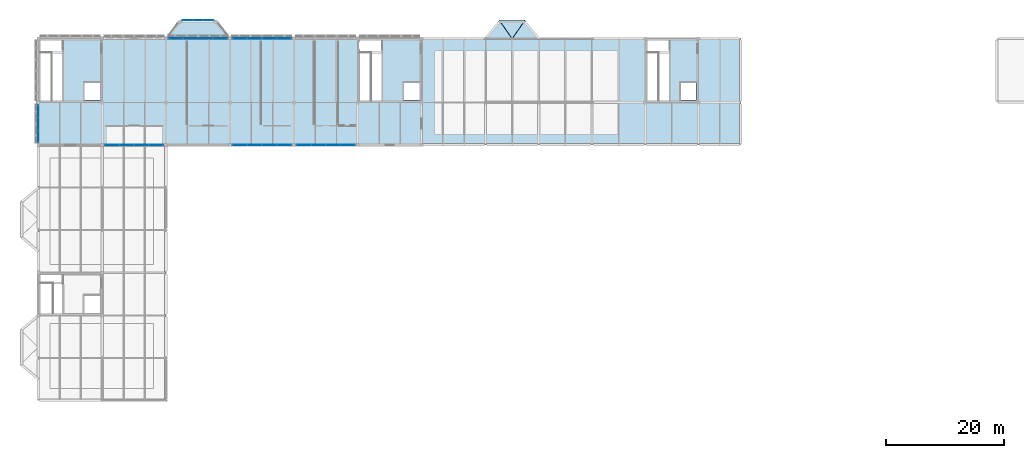
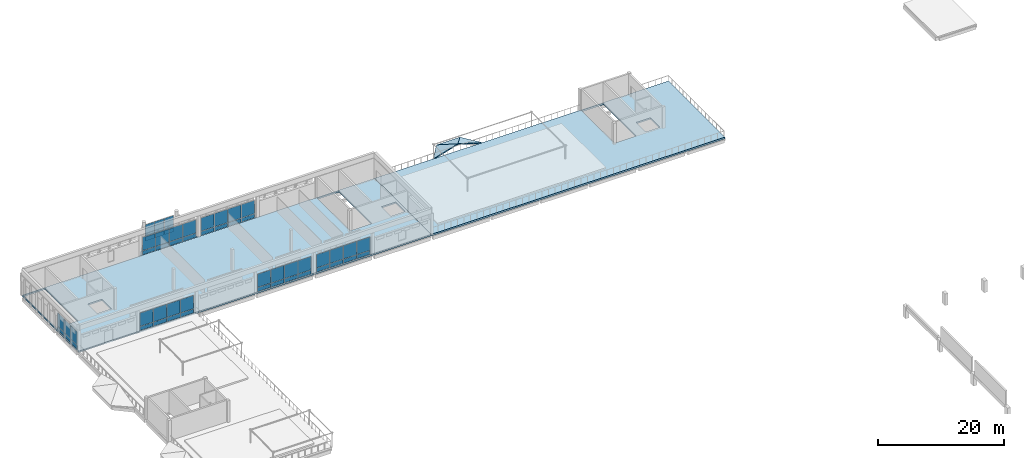
# One storey, part 19 of 33: 52 plates, 6 slabs, 7 elements without a shape of their own.
"""IFC4 building model written with IfcOpenShell, lengths in metres."""

from ifc_helpers import new_model, si_unit, direction, frame, origin, origin_2d, place, context, subcontext, project, spatial, polyline, rectangle, outline, extrude, material, layer, layer_set, type_object, element, aggregate, save


model = new_model("IFC4")

# Units and contexts
model_context = context("Model", 3, precision=1e-05, world=origin(), true_north=direction((0.0, 1.0)))
body_context = subcontext(model_context, "Body", "Model", "MODEL_VIEW")
ifc_project = project(units=[si_unit("LENGTHUNIT", "METRE"), si_unit("AREAUNIT", "SQUARE_METRE"), si_unit("VOLUMEUNIT", "CUBIC_METRE"), si_unit("PLANEANGLEUNIT", "RADIAN"), si_unit("MASSUNIT", "GRAM", prefix="KILO")], contexts=[model_context])

# Site, building, storey
site_placement = place(None, origin())
site = spatial("IfcSite", under=ifc_project, at=site_placement, CompositionType="ELEMENT")
building_placement = place(site_placement, origin())
building = spatial("IfcBuilding", under=site, at=building_placement, Name="Lusvemor Sports Hall", CompositionType="ELEMENT")
storey_placement = place(building_placement, frame((0.0, 0.0, 19.199951171875)))
storey = spatial("IfcBuildingStorey", under=building, at=storey_placement, Name="L04", CompositionType="ELEMENT", Elevation=19.199951171875)

# Curtain wall, plates
ifc_material_1 = material(Name="Thermally broken bronze-anodized aluminium", Category="aluminium")
curtain_wall_type_1 = type_object("IfcCurtainWallType", Name="CW_WING_B", PredefinedType="NOTDEFINED", material=ifc_material_1)
curtain_wall_1_placement = place(storey_placement, origin())
curtain_wall_1 = element("IfcCurtainWall", 1, at=curtain_wall_1_placement, inside=storey, type_object=curtain_wall_type_1, Name="Curtain Wall CW-L04-W-0-0", PredefinedType="NOTDEFINED")
ifc_material_2 = material(Name="Solar-control laminated double glazing", Category="glass")
ifc_layer_1 = layer(ifc_material_2, 0.028076171875)
ifc_layer_set_1 = layer_set([ifc_layer_1], Name="Solar-control laminated double glazing")
plate_type_1 = type_object("IfcPlateType", Name="CW_PAN_GLZ_28", PredefinedType="CURTAIN_PANEL", material=ifc_layer_set_1)
plate_1_placement = place(storey_placement, frame((0.0, 98.6962890625, 0.880126953125), z_axis=(0.0, 0.0, 1.0), x_axis=(0.0, 1.0, 0.0)))
plate_1 = element("IfcPlate", 2, at=plate_1_placement, type_object=plate_type_1, Name="CW02 panel 1.2", PredefinedType="CURTAIN_PANEL", context=body_context, shape_type="SweptSolid", body=[
    extrude(rectangle(XDim=2.0224609375, YDim=0.028076171875, at=origin_2d()), origin(), (0.0, 0.0, 1.0), 2.580078125),
])
plate_2_placement = place(storey_placement, frame((0.0, 100.800048828125, 0.880126953125), z_axis=(0.0, 0.0, 1.0), x_axis=(0.0, 1.0, 0.0)))
plate_2 = element("IfcPlate", 3, at=plate_2_placement, type_object=plate_type_1, Name="CW02 panel 2.2", PredefinedType="CURTAIN_PANEL", context=body_context, shape_type="SweptSolid", body=[
    extrude(rectangle(XDim=2.054931640625, YDim=0.028076171875, at=origin_2d()), origin(), (0.0, 0.0, 1.0), 2.580078125),
])
plate_3_placement = place(storey_placement, frame((0.0, 102.90380859375, 0.880126953125), z_axis=(0.0, 0.0, 1.0), x_axis=(0.0, 1.0, 0.0)))
plate_3 = element("IfcPlate", 4, at=plate_3_placement, type_object=plate_type_1, Name="CW02 panel 3.2", PredefinedType="CURTAIN_PANEL", context=body_context, shape_type="SweptSolid", body=[
    extrude(rectangle(XDim=2.0224609375, YDim=0.028076171875, at=origin_2d()), origin(), (0.0, 0.0, 1.0), 2.580078125),
])

curtain_wall_2_placement = place(storey_placement, origin())
curtain_wall_2 = element("IfcCurtainWall", 5, at=curtain_wall_2_placement, inside=storey, type_object=curtain_wall_type_1, Name="Curtain Wall CW-L04-N-1-2", PredefinedType="NOTDEFINED")
plate_4_placement = place(storey_placement, frame((23.28125, 115.199951171875, 0.880126953125), z_axis=(0.0, 0.0, 1.0), x_axis=(1.0, 0.0, 0.0)))
plate_4 = element("IfcPlate", 6, at=plate_4_placement, type_object=plate_type_1, Name="CW02 panel 1.2", PredefinedType="CURTAIN_PANEL", context=body_context, shape_type="SweptSolid", body=[
    extrude(rectangle(XDim=2.392578125, YDim=0.028076171875, at=origin_2d()), origin(), (0.0, 0.0, 1.0), 2.580078125),
])
plate_5_placement = place(storey_placement, frame((25.7548828125, 115.199951171875, 0.880126953125), z_axis=(0.0, 0.0, 1.0), x_axis=(1.0, 0.0, 0.0)))
plate_5 = element("IfcPlate", 7, at=plate_5_placement, type_object=plate_type_1, Name="CW02 panel 2.2", PredefinedType="CURTAIN_PANEL", context=body_context, shape_type="SweptSolid", body=[
    extrude(rectangle(XDim=2.425048828125, YDim=0.028076171875, at=origin_2d()), origin(), (0.0, 0.0, 1.0), 2.580078125),
])
plate_6_placement = place(storey_placement, frame((28.2451171875, 115.199951171875, 0.880126953125), z_axis=(0.0, 0.0, 1.0), x_axis=(1.0, 0.0, 0.0)))
plate_6 = element("IfcPlate", 8, at=plate_6_placement, type_object=plate_type_1, Name="CW02 panel 3.2", PredefinedType="CURTAIN_PANEL", context=body_context, shape_type="SweptSolid", body=[
    extrude(rectangle(XDim=2.425048828125, YDim=0.028076171875, at=origin_2d()), origin(), (0.0, 0.0, 1.0), 2.580078125),
])
plate_7_placement = place(storey_placement, frame((30.71875, 115.199951171875, 0.880126953125), z_axis=(0.0, 0.0, 1.0), x_axis=(1.0, 0.0, 0.0)))
plate_7 = element("IfcPlate", 9, at=plate_7_placement, type_object=plate_type_1, Name="CW02 panel 4.2", PredefinedType="CURTAIN_PANEL", context=body_context, shape_type="SweptSolid", body=[
    extrude(rectangle(XDim=2.392578125, YDim=0.028076171875, at=origin_2d()), origin(), (0.0, 0.0, 1.0), 2.580078125),
])

curtain_wall_3_placement = place(storey_placement, origin())
curtain_wall_3 = element("IfcCurtainWall", 10, at=curtain_wall_3_placement, inside=storey, type_object=curtain_wall_type_1, Name="Curtain Wall CW-L04-N-1-3", PredefinedType="NOTDEFINED")
plate_8_placement = place(storey_placement, frame((34.081298828125, 115.199951171875, 0.880126953125), z_axis=(0.0, 0.0, 1.0), x_axis=(1.0, 0.0, 0.0)))
plate_8 = element("IfcPlate", 11, at=plate_8_placement, type_object=plate_type_1, Name="CW02 panel 1.2", PredefinedType="CURTAIN_PANEL", context=body_context, shape_type="SweptSolid", body=[
    extrude(rectangle(XDim=2.392578125, YDim=0.028076171875, at=origin_2d()), origin(), (0.0, 0.0, 1.0), 2.580078125),
])
plate_9_placement = place(storey_placement, frame((36.554931640625, 115.199951171875, 0.880126953125), z_axis=(0.0, 0.0, 1.0), x_axis=(1.0, 0.0, 0.0)))
plate_9 = element("IfcPlate", 12, at=plate_9_placement, type_object=plate_type_1, Name="CW02 panel 2.2", PredefinedType="CURTAIN_PANEL", context=body_context, shape_type="SweptSolid", body=[
    extrude(rectangle(XDim=2.425048828125, YDim=0.028076171875, at=origin_2d()), origin(), (0.0, 0.0, 1.0), 2.580078125),
])
plate_10_placement = place(storey_placement, frame((39.044921875, 115.199951171875, 0.880126953125), z_axis=(0.0, 0.0, 1.0), x_axis=(1.0, 0.0, 0.0)))
plate_10 = element("IfcPlate", 13, at=plate_10_placement, type_object=plate_type_1, Name="CW02 panel 3.2", PredefinedType="CURTAIN_PANEL", context=body_context, shape_type="SweptSolid", body=[
    extrude(rectangle(XDim=2.425048828125, YDim=0.028076171875, at=origin_2d()), origin(), (0.0, 0.0, 1.0), 2.580078125),
])
plate_11_placement = place(storey_placement, frame((41.518798828125, 115.199951171875, 0.880126953125), z_axis=(0.0, 0.0, 1.0), x_axis=(1.0, 0.0, 0.0)))
plate_11 = element("IfcPlate", 14, at=plate_11_placement, type_object=plate_type_1, Name="CW02 panel 4.2", PredefinedType="CURTAIN_PANEL", context=body_context, shape_type="SweptSolid", body=[
    extrude(rectangle(XDim=2.392578125, YDim=0.028076171875, at=origin_2d()), origin(), (0.0, 0.0, 1.0), 2.580078125),
])

curtain_wall_4_placement = place(storey_placement, origin())
curtain_wall_4 = element("IfcCurtainWall", 15, at=curtain_wall_4_placement, inside=storey, type_object=curtain_wall_type_1, Name="Curtain Wall CW-L04-S-3-1", PredefinedType="NOTDEFINED")
plate_12_placement = place(storey_placement, frame((19.918701171875, 97.199951171875, 0.880126953125), z_axis=(0.0, 0.0, 1.0), x_axis=(-1.0, 0.0, 0.0)))
plate_12 = element("IfcPlate", 16, at=plate_12_placement, type_object=plate_type_1, Name="CW02 panel 1.2", PredefinedType="CURTAIN_PANEL", context=body_context, shape_type="SweptSolid", body=[
    extrude(rectangle(XDim=2.392578125, YDim=0.028076171875, at=origin_2d()), origin(), (0.0, 0.0, 1.0), 2.580078125),
])
plate_13_placement = place(storey_placement, frame((17.445068359375, 97.199951171875, 0.880126953125), z_axis=(0.0, 0.0, 1.0), x_axis=(-1.0, 0.0, 0.0)))
plate_13 = element("IfcPlate", 17, at=plate_13_placement, type_object=plate_type_1, Name="CW02 panel 2.2", PredefinedType="CURTAIN_PANEL", context=body_context, shape_type="SweptSolid", body=[
    extrude(rectangle(XDim=2.425048828125, YDim=0.028076171875, at=origin_2d()), origin(), (0.0, 0.0, 1.0), 2.580078125),
])
plate_14_placement = place(storey_placement, frame((14.955078125, 97.199951171875, 0.880126953125), z_axis=(0.0, 0.0, 1.0), x_axis=(-1.0, 0.0, 0.0)))
plate_14 = element("IfcPlate", 18, at=plate_14_placement, type_object=plate_type_1, Name="CW02 panel 3.2", PredefinedType="CURTAIN_PANEL", context=body_context, shape_type="SweptSolid", body=[
    extrude(rectangle(XDim=2.425048828125, YDim=0.028076171875, at=origin_2d()), origin(), (0.0, 0.0, 1.0), 2.580078125),
])
plate_15_placement = place(storey_placement, frame((12.481201171875, 97.199951171875, 0.880126953125), z_axis=(0.0, 0.0, 1.0), x_axis=(-1.0, 0.0, 0.0)))
plate_15 = element("IfcPlate", 19, at=plate_15_placement, type_object=plate_type_1, Name="CW02 panel 4.2", PredefinedType="CURTAIN_PANEL", context=body_context, shape_type="SweptSolid", body=[
    extrude(rectangle(XDim=2.392578125, YDim=0.028076171875, at=origin_2d()), origin(), (0.0, 0.0, 1.0), 2.580078125),
])

curtain_wall_5_placement = place(storey_placement, origin())
curtain_wall_5 = element("IfcCurtainWall", 20, at=curtain_wall_5_placement, inside=storey, type_object=curtain_wall_type_1, Name="Curtain Wall CW-L04-S-3-3", PredefinedType="NOTDEFINED")
plate_16_placement = place(storey_placement, frame((41.518798828125, 97.199951171875, 0.880126953125), z_axis=(0.0, 0.0, 1.0), x_axis=(-1.0, 0.0, 0.0)))
plate_16 = element("IfcPlate", 21, at=plate_16_placement, type_object=plate_type_1, Name="CW02 panel 1.2", PredefinedType="CURTAIN_PANEL", context=body_context, shape_type="SweptSolid", body=[
    extrude(rectangle(XDim=2.392578125, YDim=0.028076171875, at=origin_2d()), origin(), (0.0, 0.0, 1.0), 2.580078125),
])
plate_17_placement = place(storey_placement, frame((39.044921875, 97.199951171875, 0.880126953125), z_axis=(0.0, 0.0, 1.0), x_axis=(-1.0, 0.0, 0.0)))
plate_17 = element("IfcPlate", 22, at=plate_17_placement, type_object=plate_type_1, Name="CW02 panel 2.2", PredefinedType="CURTAIN_PANEL", context=body_context, shape_type="SweptSolid", body=[
    extrude(rectangle(XDim=2.425048828125, YDim=0.028076171875, at=origin_2d()), origin(), (0.0, 0.0, 1.0), 2.580078125),
])
plate_18_placement = place(storey_placement, frame((36.554931640625, 97.199951171875, 0.880126953125), z_axis=(0.0, 0.0, 1.0), x_axis=(-1.0, 0.0, 0.0)))
plate_18 = element("IfcPlate", 23, at=plate_18_placement, type_object=plate_type_1, Name="CW02 panel 3.2", PredefinedType="CURTAIN_PANEL", context=body_context, shape_type="SweptSolid", body=[
    extrude(rectangle(XDim=2.425048828125, YDim=0.028076171875, at=origin_2d()), origin(), (0.0, 0.0, 1.0), 2.580078125),
])
plate_19_placement = place(storey_placement, frame((34.081298828125, 97.199951171875, 0.880126953125), z_axis=(0.0, 0.0, 1.0), x_axis=(-1.0, 0.0, 0.0)))
plate_19 = element("IfcPlate", 24, at=plate_19_placement, type_object=plate_type_1, Name="CW02 panel 4.2", PredefinedType="CURTAIN_PANEL", context=body_context, shape_type="SweptSolid", body=[
    extrude(rectangle(XDim=2.392578125, YDim=0.028076171875, at=origin_2d()), origin(), (0.0, 0.0, 1.0), 2.580078125),
])

curtain_wall_6_placement = place(storey_placement, origin())
curtain_wall_6 = element("IfcCurtainWall", 25, at=curtain_wall_6_placement, inside=storey, type_object=curtain_wall_type_1, Name="Curtain Wall CW-L04-S-3-4", PredefinedType="NOTDEFINED")
plate_20_placement = place(storey_placement, frame((52.31884765625, 97.199951171875, 0.880126953125), z_axis=(0.0, 0.0, 1.0), x_axis=(-1.0, 0.0, 0.0)))
plate_20 = element("IfcPlate", 26, at=plate_20_placement, type_object=plate_type_1, Name="CW02 panel 1.2", PredefinedType="CURTAIN_PANEL", context=body_context, shape_type="SweptSolid", body=[
    extrude(rectangle(XDim=2.392578125, YDim=0.028076171875, at=origin_2d()), origin(), (0.0, 0.0, 1.0), 2.580078125),
])
plate_21_placement = place(storey_placement, frame((49.844970703125, 97.199951171875, 0.880126953125), z_axis=(0.0, 0.0, 1.0), x_axis=(-1.0, 0.0, 0.0)))
plate_21 = element("IfcPlate", 27, at=plate_21_placement, type_object=plate_type_1, Name="CW02 panel 2.2", PredefinedType="CURTAIN_PANEL", context=body_context, shape_type="SweptSolid", body=[
    extrude(rectangle(XDim=2.425048828125, YDim=0.028076171875, at=origin_2d()), origin(), (0.0, 0.0, 1.0), 2.580078125),
])
plate_22_placement = place(storey_placement, frame((47.35498046875, 97.199951171875, 0.880126953125), z_axis=(0.0, 0.0, 1.0), x_axis=(-1.0, 0.0, 0.0)))
plate_22 = element("IfcPlate", 28, at=plate_22_placement, type_object=plate_type_1, Name="CW02 panel 3.2", PredefinedType="CURTAIN_PANEL", context=body_context, shape_type="SweptSolid", body=[
    extrude(rectangle(XDim=2.425048828125, YDim=0.028076171875, at=origin_2d()), origin(), (0.0, 0.0, 1.0), 2.580078125),
])
plate_23_placement = place(storey_placement, frame((44.88134765625, 97.199951171875, 0.880126953125), z_axis=(0.0, 0.0, 1.0), x_axis=(-1.0, 0.0, 0.0)))
plate_23 = element("IfcPlate", 29, at=plate_23_placement, type_object=plate_type_1, Name="CW02 panel 4.2", PredefinedType="CURTAIN_PANEL", context=body_context, shape_type="SweptSolid", body=[
    extrude(rectangle(XDim=2.392578125, YDim=0.028076171875, at=origin_2d()), origin(), (0.0, 0.0, 1.0), 2.580078125),
])

ifc_material_3 = material(Name="Thermally broken bronze-anodized aluminium", Category="aluminium")
curtain_wall_type_2 = type_object("IfcCurtainWallType", Name="CW_FOYER_A", PredefinedType="NOTDEFINED", material=ifc_material_3)
curtain_wall_7_placement = place(storey_placement, origin())
curtain_wall_7 = element("IfcCurtainWall", 30, at=curtain_wall_7_placement, inside=storey, type_object=curtain_wall_type_2, Name="Curtain Wall CW-BOW-N1-L04-M", PredefinedType="NOTDEFINED")
plate_24_placement = place(storey_placement, frame((25.250732421875, 118.300048828125, 0.882568359375), z_axis=(0.0, 0.0, 1.0), x_axis=(1.0, 0.0, 0.0)))
plate_24 = element("IfcPlate", 31, at=plate_24_placement, type_object=plate_type_1, Name="CW01 panel 1.2", PredefinedType="CURTAIN_PANEL", context=body_context, shape_type="SweptSolid", body=[
    extrude(rectangle(XDim=1.66162109375, YDim=0.028076171875, at=origin_2d()), origin(), (0.0, 0.0, 1.0), 2.33251953125),
])
plate_25_placement = place(storey_placement, frame((27.0, 118.300048828125, 0.882568359375), z_axis=(0.0, 0.0, 1.0), x_axis=(1.0, 0.0, 0.0)))
plate_25 = element("IfcPlate", 32, at=plate_25_placement, type_object=plate_type_1, Name="CW01 panel 2.2", PredefinedType="CURTAIN_PANEL", context=body_context, shape_type="SweptSolid", body=[
    extrude(rectangle(XDim=1.69677734375, YDim=0.028076171875, at=origin_2d()), origin(), (0.0, 0.0, 1.0), 2.33251953125),
])
plate_26_placement = place(storey_placement, frame((28.749267578125, 118.300048828125, 0.882568359375), z_axis=(0.0, 0.0, 1.0), x_axis=(1.0, 0.0, 0.0)))
plate_26 = element("IfcPlate", 33, at=plate_26_placement, type_object=plate_type_1, Name="CW01 panel 3.2", PredefinedType="CURTAIN_PANEL", context=body_context, shape_type="SweptSolid", body=[
    extrude(rectangle(XDim=1.66162109375, YDim=0.028076171875, at=origin_2d()), origin(), (0.0, 0.0, 1.0), 2.33251953125),
])

# Plate
ifc_material_4 = material(Name="Emerald polychrome glazed ceramic cladding on Concrete C40/50 backing", Category="concrete")
ifc_layer_2 = layer(ifc_material_4, 0.048095703125)
ifc_layer_set_2 = layer_set([ifc_layer_2], Name="Emerald polychrome glazed ceramic cladding on Concrete C40/50 backing")
plate_type_2 = type_object("IfcPlateType", Name="CW_PAN_SPN_48", PredefinedType="CURTAIN_PANEL", material=ifc_layer_set_2)
plate_27_placement = place(storey_placement, frame((0.0, 98.6962890625, 0.06005859375), z_axis=(0.0, 0.0, 1.0), x_axis=(0.0, 1.0, 0.0)))
plate_27 = element("IfcPlate", 34, at=plate_27_placement, type_object=plate_type_2, Name="CW02 panel 1.1", PredefinedType="CURTAIN_PANEL", context=body_context, shape_type="SweptSolid", body=[
    extrude(rectangle(XDim=2.0224609375, YDim=0.048095703125, at=origin_2d()), origin(), (0.0, 0.0, 1.0), 0.760009765625),
])

plate_28_placement = place(storey_placement, frame((0.0, 100.800048828125, 0.06005859375), z_axis=(0.0, 0.0, 1.0), x_axis=(0.0, 1.0, 0.0)))
plate_28 = element("IfcPlate", 35, at=plate_28_placement, type_object=plate_type_2, Name="CW02 panel 2.1", PredefinedType="CURTAIN_PANEL", context=body_context, shape_type="SweptSolid", body=[
    extrude(rectangle(XDim=2.054931640625, YDim=0.048095703125, at=origin_2d()), origin(), (0.0, 0.0, 1.0), 0.760009765625),
])

plate_29_placement = place(storey_placement, frame((0.0, 102.90380859375, 0.06005859375), z_axis=(0.0, 0.0, 1.0), x_axis=(0.0, 1.0, 0.0)))
plate_29 = element("IfcPlate", 36, at=plate_29_placement, type_object=plate_type_2, Name="CW02 panel 3.1", PredefinedType="CURTAIN_PANEL", context=body_context, shape_type="SweptSolid", body=[
    extrude(rectangle(XDim=2.0224609375, YDim=0.048095703125, at=origin_2d()), origin(), (0.0, 0.0, 1.0), 0.760009765625),
])

aggregate(curtain_wall_1, [plate_27, plate_1, plate_28, plate_2, plate_29, plate_3])

plate_30_placement = place(storey_placement, frame((23.28125, 115.199951171875, 0.06005859375), z_axis=(0.0, 0.0, 1.0), x_axis=(1.0, 0.0, 0.0)))
plate_30 = element("IfcPlate", 37, at=plate_30_placement, type_object=plate_type_2, Name="CW02 panel 1.1", PredefinedType="CURTAIN_PANEL", context=body_context, shape_type="SweptSolid", body=[
    extrude(rectangle(XDim=2.392578125, YDim=0.048095703125, at=origin_2d()), origin(), (0.0, 0.0, 1.0), 0.760009765625),
])

plate_31_placement = place(storey_placement, frame((25.7548828125, 115.199951171875, 0.06005859375), z_axis=(0.0, 0.0, 1.0), x_axis=(1.0, 0.0, 0.0)))
plate_31 = element("IfcPlate", 38, at=plate_31_placement, type_object=plate_type_2, Name="CW02 panel 2.1", PredefinedType="CURTAIN_PANEL", context=body_context, shape_type="SweptSolid", body=[
    extrude(rectangle(XDim=2.425048828125, YDim=0.048095703125, at=origin_2d()), origin(), (0.0, 0.0, 1.0), 0.760009765625),
])

plate_32_placement = place(storey_placement, frame((28.2451171875, 115.199951171875, 0.06005859375), z_axis=(0.0, 0.0, 1.0), x_axis=(1.0, 0.0, 0.0)))
plate_32 = element("IfcPlate", 39, at=plate_32_placement, type_object=plate_type_2, Name="CW02 panel 3.1", PredefinedType="CURTAIN_PANEL", context=body_context, shape_type="SweptSolid", body=[
    extrude(rectangle(XDim=2.425048828125, YDim=0.048095703125, at=origin_2d()), origin(), (0.0, 0.0, 1.0), 0.760009765625),
])

plate_33_placement = place(storey_placement, frame((30.71875, 115.199951171875, 0.06005859375), z_axis=(0.0, 0.0, 1.0), x_axis=(1.0, 0.0, 0.0)))
plate_33 = element("IfcPlate", 40, at=plate_33_placement, type_object=plate_type_2, Name="CW02 panel 4.1", PredefinedType="CURTAIN_PANEL", context=body_context, shape_type="SweptSolid", body=[
    extrude(rectangle(XDim=2.392578125, YDim=0.048095703125, at=origin_2d()), origin(), (0.0, 0.0, 1.0), 0.760009765625),
])

aggregate(curtain_wall_2, [plate_30, plate_4, plate_31, plate_5, plate_32, plate_6, plate_33, plate_7])

plate_34_placement = place(storey_placement, frame((34.081298828125, 115.199951171875, 0.06005859375), z_axis=(0.0, 0.0, 1.0), x_axis=(1.0, 0.0, 0.0)))
plate_34 = element("IfcPlate", 41, at=plate_34_placement, type_object=plate_type_2, Name="CW02 panel 1.1", PredefinedType="CURTAIN_PANEL", context=body_context, shape_type="SweptSolid", body=[
    extrude(rectangle(XDim=2.392578125, YDim=0.048095703125, at=origin_2d()), origin(), (0.0, 0.0, 1.0), 0.760009765625),
])

plate_35_placement = place(storey_placement, frame((36.554931640625, 115.199951171875, 0.06005859375), z_axis=(0.0, 0.0, 1.0), x_axis=(1.0, 0.0, 0.0)))
plate_35 = element("IfcPlate", 42, at=plate_35_placement, type_object=plate_type_2, Name="CW02 panel 2.1", PredefinedType="CURTAIN_PANEL", context=body_context, shape_type="SweptSolid", body=[
    extrude(rectangle(XDim=2.425048828125, YDim=0.048095703125, at=origin_2d()), origin(), (0.0, 0.0, 1.0), 0.760009765625),
])

plate_36_placement = place(storey_placement, frame((39.044921875, 115.199951171875, 0.06005859375), z_axis=(0.0, 0.0, 1.0), x_axis=(1.0, 0.0, 0.0)))
plate_36 = element("IfcPlate", 43, at=plate_36_placement, type_object=plate_type_2, Name="CW02 panel 3.1", PredefinedType="CURTAIN_PANEL", context=body_context, shape_type="SweptSolid", body=[
    extrude(rectangle(XDim=2.425048828125, YDim=0.048095703125, at=origin_2d()), origin(), (0.0, 0.0, 1.0), 0.760009765625),
])

plate_37_placement = place(storey_placement, frame((41.518798828125, 115.199951171875, 0.06005859375), z_axis=(0.0, 0.0, 1.0), x_axis=(1.0, 0.0, 0.0)))
plate_37 = element("IfcPlate", 44, at=plate_37_placement, type_object=plate_type_2, Name="CW02 panel 4.1", PredefinedType="CURTAIN_PANEL", context=body_context, shape_type="SweptSolid", body=[
    extrude(rectangle(XDim=2.392578125, YDim=0.048095703125, at=origin_2d()), origin(), (0.0, 0.0, 1.0), 0.760009765625),
])

aggregate(curtain_wall_3, [plate_34, plate_8, plate_35, plate_9, plate_36, plate_10, plate_37, plate_11])

plate_38_placement = place(storey_placement, frame((19.918701171875, 97.199951171875, 0.06005859375), z_axis=(0.0, 0.0, 1.0), x_axis=(-1.0, 0.0, 0.0)))
plate_38 = element("IfcPlate", 45, at=plate_38_placement, type_object=plate_type_2, Name="CW02 panel 1.1", PredefinedType="CURTAIN_PANEL", context=body_context, shape_type="SweptSolid", body=[
    extrude(rectangle(XDim=2.392578125, YDim=0.048095703125, at=origin_2d()), origin(), (0.0, 0.0, 1.0), 0.760009765625),
])

plate_39_placement = place(storey_placement, frame((17.445068359375, 97.199951171875, 0.06005859375), z_axis=(0.0, 0.0, 1.0), x_axis=(-1.0, 0.0, 0.0)))
plate_39 = element("IfcPlate", 46, at=plate_39_placement, type_object=plate_type_2, Name="CW02 panel 2.1", PredefinedType="CURTAIN_PANEL", context=body_context, shape_type="SweptSolid", body=[
    extrude(rectangle(XDim=2.425048828125, YDim=0.048095703125, at=origin_2d()), origin(), (0.0, 0.0, 1.0), 0.760009765625),
])

plate_40_placement = place(storey_placement, frame((14.955078125, 97.199951171875, 0.06005859375), z_axis=(0.0, 0.0, 1.0), x_axis=(-1.0, 0.0, 0.0)))
plate_40 = element("IfcPlate", 47, at=plate_40_placement, type_object=plate_type_2, Name="CW02 panel 3.1", PredefinedType="CURTAIN_PANEL", context=body_context, shape_type="SweptSolid", body=[
    extrude(rectangle(XDim=2.425048828125, YDim=0.048095703125, at=origin_2d()), origin(), (0.0, 0.0, 1.0), 0.760009765625),
])

plate_41_placement = place(storey_placement, frame((12.481201171875, 97.199951171875, 0.06005859375), z_axis=(0.0, 0.0, 1.0), x_axis=(-1.0, 0.0, 0.0)))
plate_41 = element("IfcPlate", 48, at=plate_41_placement, type_object=plate_type_2, Name="CW02 panel 4.1", PredefinedType="CURTAIN_PANEL", context=body_context, shape_type="SweptSolid", body=[
    extrude(rectangle(XDim=2.392578125, YDim=0.048095703125, at=origin_2d()), origin(), (0.0, 0.0, 1.0), 0.760009765625),
])

aggregate(curtain_wall_4, [plate_38, plate_12, plate_39, plate_13, plate_40, plate_14, plate_41, plate_15])

plate_42_placement = place(storey_placement, frame((41.518798828125, 97.199951171875, 0.06005859375), z_axis=(0.0, 0.0, 1.0), x_axis=(-1.0, 0.0, 0.0)))
plate_42 = element("IfcPlate", 49, at=plate_42_placement, type_object=plate_type_2, Name="CW02 panel 1.1", PredefinedType="CURTAIN_PANEL", context=body_context, shape_type="SweptSolid", body=[
    extrude(rectangle(XDim=2.392578125, YDim=0.048095703125, at=origin_2d()), origin(), (0.0, 0.0, 1.0), 0.760009765625),
])

plate_43_placement = place(storey_placement, frame((39.044921875, 97.199951171875, 0.06005859375), z_axis=(0.0, 0.0, 1.0), x_axis=(-1.0, 0.0, 0.0)))
plate_43 = element("IfcPlate", 50, at=plate_43_placement, type_object=plate_type_2, Name="CW02 panel 2.1", PredefinedType="CURTAIN_PANEL", context=body_context, shape_type="SweptSolid", body=[
    extrude(rectangle(XDim=2.425048828125, YDim=0.048095703125, at=origin_2d()), origin(), (0.0, 0.0, 1.0), 0.760009765625),
])

plate_44_placement = place(storey_placement, frame((36.554931640625, 97.199951171875, 0.06005859375), z_axis=(0.0, 0.0, 1.0), x_axis=(-1.0, 0.0, 0.0)))
plate_44 = element("IfcPlate", 51, at=plate_44_placement, type_object=plate_type_2, Name="CW02 panel 3.1", PredefinedType="CURTAIN_PANEL", context=body_context, shape_type="SweptSolid", body=[
    extrude(rectangle(XDim=2.425048828125, YDim=0.048095703125, at=origin_2d()), origin(), (0.0, 0.0, 1.0), 0.760009765625),
])

plate_45_placement = place(storey_placement, frame((34.081298828125, 97.199951171875, 0.06005859375), z_axis=(0.0, 0.0, 1.0), x_axis=(-1.0, 0.0, 0.0)))
plate_45 = element("IfcPlate", 52, at=plate_45_placement, type_object=plate_type_2, Name="CW02 panel 4.1", PredefinedType="CURTAIN_PANEL", context=body_context, shape_type="SweptSolid", body=[
    extrude(rectangle(XDim=2.392578125, YDim=0.048095703125, at=origin_2d()), origin(), (0.0, 0.0, 1.0), 0.760009765625),
])

aggregate(curtain_wall_5, [plate_42, plate_16, plate_43, plate_17, plate_44, plate_18, plate_45, plate_19])

plate_46_placement = place(storey_placement, frame((52.31884765625, 97.199951171875, 0.06005859375), z_axis=(0.0, 0.0, 1.0), x_axis=(-1.0, 0.0, 0.0)))
plate_46 = element("IfcPlate", 53, at=plate_46_placement, type_object=plate_type_2, Name="CW02 panel 1.1", PredefinedType="CURTAIN_PANEL", context=body_context, shape_type="SweptSolid", body=[
    extrude(rectangle(XDim=2.392578125, YDim=0.048095703125, at=origin_2d()), origin(), (0.0, 0.0, 1.0), 0.760009765625),
])

plate_47_placement = place(storey_placement, frame((49.844970703125, 97.199951171875, 0.06005859375), z_axis=(0.0, 0.0, 1.0), x_axis=(-1.0, 0.0, 0.0)))
plate_47 = element("IfcPlate", 54, at=plate_47_placement, type_object=plate_type_2, Name="CW02 panel 2.1", PredefinedType="CURTAIN_PANEL", context=body_context, shape_type="SweptSolid", body=[
    extrude(rectangle(XDim=2.425048828125, YDim=0.048095703125, at=origin_2d()), origin(), (0.0, 0.0, 1.0), 0.760009765625),
])

plate_48_placement = place(storey_placement, frame((47.35498046875, 97.199951171875, 0.06005859375), z_axis=(0.0, 0.0, 1.0), x_axis=(-1.0, 0.0, 0.0)))
plate_48 = element("IfcPlate", 55, at=plate_48_placement, type_object=plate_type_2, Name="CW02 panel 3.1", PredefinedType="CURTAIN_PANEL", context=body_context, shape_type="SweptSolid", body=[
    extrude(rectangle(XDim=2.425048828125, YDim=0.048095703125, at=origin_2d()), origin(), (0.0, 0.0, 1.0), 0.760009765625),
])

plate_49_placement = place(storey_placement, frame((44.88134765625, 97.199951171875, 0.06005859375), z_axis=(0.0, 0.0, 1.0), x_axis=(-1.0, 0.0, 0.0)))
plate_49 = element("IfcPlate", 56, at=plate_49_placement, type_object=plate_type_2, Name="CW02 panel 4.1", PredefinedType="CURTAIN_PANEL", context=body_context, shape_type="SweptSolid", body=[
    extrude(rectangle(XDim=2.392578125, YDim=0.048095703125, at=origin_2d()), origin(), (0.0, 0.0, 1.0), 0.760009765625),
])

aggregate(curtain_wall_6, [plate_46, plate_20, plate_47, plate_21, plate_48, plate_22, plate_49, plate_23])

plate_50_placement = place(storey_placement, frame((25.250732421875, 118.300048828125, 0.065185546875), z_axis=(0.0, 0.0, 1.0), x_axis=(1.0, 0.0, 0.0)))
plate_50 = element("IfcPlate", 57, at=plate_50_placement, type_object=plate_type_2, Name="CW01 panel 1.1", PredefinedType="CURTAIN_PANEL", context=body_context, shape_type="SweptSolid", body=[
    extrude(rectangle(XDim=1.66162109375, YDim=0.048095703125, at=origin_2d()), origin(), (0.0, 0.0, 1.0), 0.75244140625),
])

plate_51_placement = place(storey_placement, frame((27.0, 118.300048828125, 0.065185546875), z_axis=(0.0, 0.0, 1.0), x_axis=(1.0, 0.0, 0.0)))
plate_51 = element("IfcPlate", 58, at=plate_51_placement, type_object=plate_type_2, Name="CW01 panel 2.1", PredefinedType="CURTAIN_PANEL", context=body_context, shape_type="SweptSolid", body=[
    extrude(rectangle(XDim=1.69677734375, YDim=0.048095703125, at=origin_2d()), origin(), (0.0, 0.0, 1.0), 0.75244140625),
])

plate_52_placement = place(storey_placement, frame((28.749267578125, 118.300048828125, 0.065185546875), z_axis=(0.0, 0.0, 1.0), x_axis=(1.0, 0.0, 0.0)))
plate_52 = element("IfcPlate", 59, at=plate_52_placement, type_object=plate_type_2, Name="CW01 panel 3.1", PredefinedType="CURTAIN_PANEL", context=body_context, shape_type="SweptSolid", body=[
    extrude(rectangle(XDim=1.66162109375, YDim=0.048095703125, at=origin_2d()), origin(), (0.0, 0.0, 1.0), 0.75244140625),
])

aggregate(curtain_wall_7, [plate_50, plate_24, plate_51, plate_25, plate_52, plate_26])

# Slabs
ifc_material_5 = material(Name="Concrete C40/50", Category="concrete")
ifc_layer_3 = layer(ifc_material_5, 0.169921875)
ifc_layer_set_3 = layer_set([ifc_layer_3], Name="Concrete C40/50")
slab_type_1 = type_object("IfcSlabType", Name="ROOF_LANTERN_170", PredefinedType="ROOF", material=ifc_layer_set_3)
slab_1_placement = place(storey_placement, frame((75.60009765625, 115.199951171875, 0.0), z_axis=(-0.280837133516, 0.211965907042, 0.936056065997), x_axis=(0.60243108508, 0.79817090133, 0.0)))
element("IfcSlab", 60, at=slab_1_placement, inside=storey, type_object=slab_type_1, Name="Art Nouveau Faceted Pavilion Roof BOW-N2-1", PredefinedType="ROOF", context=body_context, shape_type="SweptSolid", body=[
    extrude(outline(polyline([(0.0, 0.0), (3.8840023497290534, 2.220446049250313e-16), (2.710939882859371, -3.8371302600946664), (0.0, 0.0)])), origin(), (0.0, 0.0, -1.0), 0.169921875),
])
slab_2_placement = place(storey_placement, frame((77.93994140625, 118.300048828125, 0.0), z_axis=(0.0, 0.399280471996, 0.916828830634), x_axis=(1.0, 0.0, 0.0)))
element("IfcSlab", 61, at=slab_2_placement, inside=storey, type_object=slab_type_1, Name="Art Nouveau Faceted Pavilion Roof BOW-N2-2", PredefinedType="ROOF", context=body_context, shape_type="SweptSolid", body=[
    extrude(outline(polyline([(0.0, 0.0), (4.320068359375, 0.0), (2.16015625, -3.3813265384606805), (0.0, 0.0)])), origin(), (0.0, 0.0, -1.0), 0.169921875),
])
slab_3_placement = place(storey_placement, frame((82.260009765625, 118.300048828125, 0.0), z_axis=(0.280835816899, 0.211987029846, 0.936051677593), x_axis=(0.602471128179, -0.798140676642, 0.0)))
element("IfcSlab", 62, at=slab_3_placement, inside=storey, type_object=slab_type_1, Name="Art Nouveau Faceted Pavilion Roof BOW-N2-3", PredefinedType="ROOF", context=body_context, shape_type="SweptSolid", body=[
    extrude(outline(polyline([(0.0, 0.0), (3.8841494325188504, 0.0), (1.1730293557138767, -3.837002946383641), (0.0, 0.0)])), origin(), (0.0, 0.0, -1.0), 0.169921875),
])
ifc_material_6 = material(Name="Concrete C40/50", Category="concrete")
ifc_layer_4 = layer(ifc_material_6, 0.31494140625)
ifc_layer_set_4 = layer_set([ifc_layer_4], Name="Concrete C40/50")
slab_type_2 = type_object("IfcSlabType", Name="SLAB_EXT_GARD_315", PredefinedType="FLOOR", material=ifc_layer_set_4)
slab_4_placement = place(storey_placement, frame((0.0, 0.0, -0.31494140625)))
element("IfcSlab", 63, at=slab_4_placement, inside=storey, type_object=slab_type_2, Name="Slab L04 V5-BELVEDERE", PredefinedType="FLOOR", context=body_context, shape_type="SweptSolid", body=[
    extrude(outline(polyline([(64.800048828125, 97.199951171875), (118.800048828125, 97.199951171875), (118.800048828125, 115.199951171875), (64.800048828125, 115.199951171875), (64.800048828125, 97.199951171875)]), holes=[polyline([(102.760009765625, 104.56005859375), (106.739990234375, 104.56005859375), (106.739990234375, 115.0400390625), (102.760009765625, 115.0400390625), (102.760009765625, 104.56005859375)]), polyline([(108.60009765625, 104.800048828125), (111.199951171875, 104.800048828125), (111.199951171875, 107.800048828125), (108.60009765625, 107.800048828125), (108.60009765625, 104.800048828125)])]), origin(), (0.0, 0.0, 1.0), 0.31494140625),
])
ifc_material_7 = material(Name="Concrete C40/50", Category="concrete")
ifc_layer_5 = layer(ifc_material_7, 0.2900390625)
ifc_layer_set_5 = layer_set([ifc_layer_5], Name="Concrete C40/50")
slab_type_3 = type_object("IfcSlabType", Name="SLAB_INT_225", PredefinedType="FLOOR", material=ifc_layer_set_5)
slab_5_placement = place(storey_placement, frame((0.0, 0.0, -0.2900390625)))
element("IfcSlab", 64, at=slab_5_placement, inside=storey, type_object=slab_type_3, Name="Slab L04 V5-NW", PredefinedType="FLOOR", context=body_context, shape_type="SweptSolid", body=[
    extrude(outline(polyline([(0.0, 97.199951171875), (64.800048828125, 97.199951171875), (64.800048828125, 115.199951171875), (0.0, 115.199951171875), (0.0, 97.199951171875)]), holes=[polyline([(0.159912109375, 104.56005859375), (4.139892578125, 104.56005859375), (4.139892578125, 115.0400390625), (0.159912109375, 115.0400390625), (0.159912109375, 104.56005859375)]), polyline([(7.800048828125, 104.800048828125), (10.39990234375, 104.800048828125), (10.39990234375, 107.800048828125), (7.800048828125, 107.800048828125), (7.800048828125, 104.800048828125)]), polyline([(54.159912109375, 104.56005859375), (58.139892578125, 104.56005859375), (58.139892578125, 115.0400390625), (54.159912109375, 115.0400390625), (54.159912109375, 104.56005859375)]), polyline([(61.800048828125, 104.800048828125), (64.39990234375, 104.800048828125), (64.39990234375, 107.800048828125), (61.800048828125, 107.800048828125), (61.800048828125, 104.800048828125)])]), origin(), (0.0, 0.0, 1.0), 0.2900390625),
])
ifc_material_8 = material(Name="Concrete C40/50", Category="concrete")
ifc_layer_6 = layer(ifc_material_8, 0.260009765625)
ifc_layer_set_6 = layer_set([ifc_layer_6], Name="Concrete C40/50")
slab_type_4 = type_object("IfcSlabType", Name="SLAB_INT_260", PredefinedType="FLOOR", material=ifc_layer_set_6)
slab_6_placement = place(storey_placement, frame((0.0, 0.0, -0.260009765625)))
element("IfcSlab", 65, at=slab_6_placement, inside=storey, type_object=slab_type_4, Name="Bow Pavilion Slab BOW-N1 (L04)", PredefinedType="FLOOR", context=body_context, shape_type="SweptSolid", body=[
    extrude(outline(polyline([(21.60009765625, 115.199951171875), (24.0, 118.300048828125), (30.0, 118.300048828125), (32.39990234375, 115.199951171875), (21.60009765625, 115.199951171875)])), origin(), (0.0, 0.0, 1.0), 0.260009765625),
])

save(model, "model.ifc")
